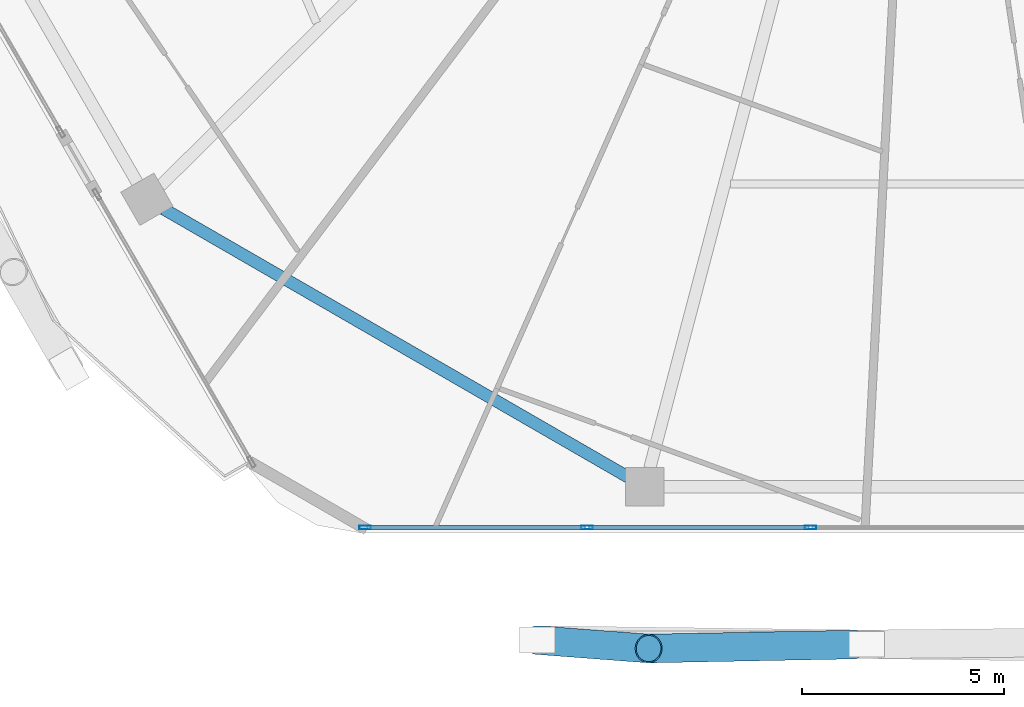
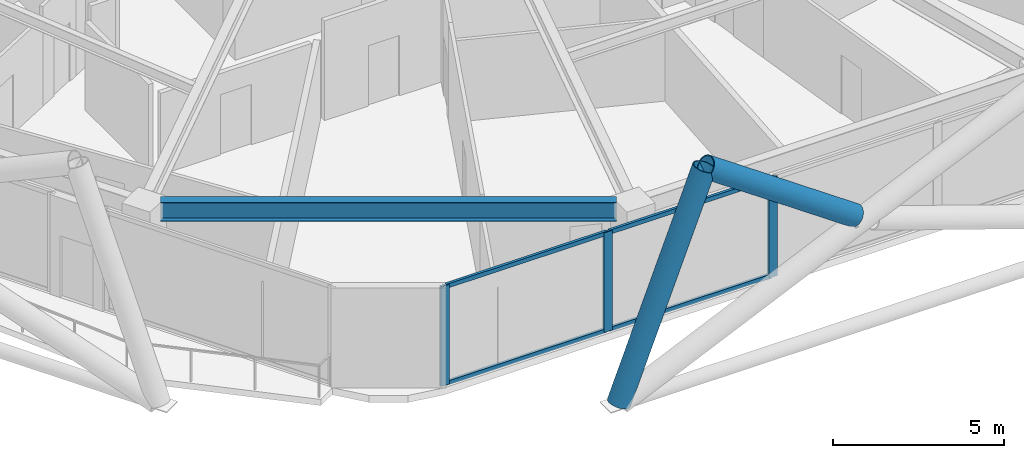
# One storey, part 3 of 29: 9 members, 1 beam, 1 element without a shape of its own.
"""IFC4 building model written with IfcOpenShell, lengths in metres."""

from ifc_helpers import new_model, si_unit, direction, frame, origin, origin_2d, place, context, subcontext, project, spatial, hollow_rectangle, hollow_circle, i_section, extrude, material, material_profile, profile_set, type_object, element, aggregate, save


model = new_model("IFC4")

# Units and contexts
model_context = context("Model", 3, precision=1e-05, world=origin(), true_north=direction((0.0, 1.0)))
body_context = subcontext(model_context, "Body", "Model", "MODEL_VIEW")
ifc_project = project(units=[si_unit("LENGTHUNIT", "METRE"), si_unit("AREAUNIT", "SQUARE_METRE"), si_unit("VOLUMEUNIT", "CUBIC_METRE"), si_unit("PLANEANGLEUNIT", "RADIAN"), si_unit("MASSUNIT", "GRAM", prefix="KILO")], contexts=[model_context])

# Site, building, storey
site_placement = place(None, origin())
site = spatial("IfcSite", under=ifc_project, at=site_placement, CompositionType="ELEMENT")
building_placement = place(site_placement, origin())
building = spatial("IfcBuilding", under=site, at=building_placement, Name="Zuhravey Tower", CompositionType="ELEMENT")
storey_placement = place(building_placement, frame((0.0, 0.0, 192.199951171875)))
storey = spatial("IfcBuildingStorey", under=building, at=storey_placement, Name="L48", CompositionType="ELEMENT", Elevation=192.199951171875)

# Curtain wall, members
ifc_material_1 = material(Name="Thermally broken anodised aluminium", Category="aluminium")
curtain_wall_type = type_object("IfcCurtainWallType", Name="Zone 1-2 Residential Curtain Wall CW3", PredefinedType="NOTDEFINED", material=ifc_material_1)
curtain_wall_placement = place(storey_placement, origin())
curtain_wall = element("IfcCurtainWall", 1, at=curtain_wall_placement, inside=storey, type_object=curtain_wall_type, Name="L48 CW3 CW-L48-F5-1", PredefinedType="NOTDEFINED")
ifc_material_2 = material(Name="Anodised aluminium", Category="aluminium")
ifc_material_profile_1 = material_profile(ifc_material_2, hollow_rectangle(XDim=0.090087890625, YDim=0.284912109375, WallThickness=0.0048828125, at=origin_2d()), Name="ALU-RHS-90x285x5")
ifc_profile_set_1 = profile_set([ifc_material_profile_1], Name="Anodised aluminium")
member_type_1 = type_object("IfcMemberType", Name="Curtain-Wall Mullion 90x180", PredefinedType="MULLION", material=ifc_profile_set_1)
member_1_placement = place(storey_placement, frame((33.227783203125, 4.81689453125, 0.0), z_axis=(0.0, 0.0, 1.0), x_axis=(0.0, -1.0, 0.0)))
member_1 = element("IfcMember", 2, at=member_1_placement, type_object=member_type_1, Name="CW3 mullion 4", PredefinedType="MULLION", context=body_context, shape_type="SweptSolid", body=[
    extrude(hollow_rectangle(XDim=0.090087890625, YDim=0.284912109375, WallThickness=0.0048828125, at=origin_2d()), origin(), (0.0, 0.0, 1.0), 3.550048828125),
])
member_2_placement = place(storey_placement, frame((27.683349609375, 4.81689453125, 0.0), z_axis=(0.0, 0.0, 1.0), x_axis=(0.0, -1.0, 0.0)))
member_2 = element("IfcMember", 3, at=member_2_placement, type_object=member_type_1, Name="CW3 mullion 5", PredefinedType="MULLION", context=body_context, shape_type="SweptSolid", body=[
    extrude(hollow_rectangle(XDim=0.090087890625, YDim=0.284912109375, WallThickness=0.0048828125, at=origin_2d()), origin(), (0.0, 0.0, 1.0), 3.550048828125),
])
member_3_placement = place(storey_placement, frame((22.183837890625, 4.81689453125, 0.0), z_axis=(0.0, 0.0, 1.0), x_axis=(0.0, -1.0, 0.0)))
member_3 = element("IfcMember", 4, at=member_3_placement, type_object=member_type_1, Name="CW3 mullion 6", PredefinedType="MULLION", context=body_context, shape_type="SweptSolid", body=[
    extrude(hollow_rectangle(XDim=0.090087890625, YDim=0.284912109375, WallThickness=0.0048828125, at=origin_2d()), origin(), (0.0, 0.0, 1.0), 3.550048828125),
])
ifc_material_profile_2 = material_profile(ifc_material_2, hollow_rectangle(XDim=0.090087890625, YDim=0.14990234375, WallThickness=0.0048828125, at=origin_2d()), Name="ALU-RHS-90x150x5")
ifc_profile_set_2 = profile_set([ifc_material_profile_2], Name="Anodised aluminium")
member_type_2 = type_object("IfcMemberType", Name="Curtain-Wall Transom 90x150", PredefinedType="USERDEFINED", material=ifc_profile_set_2)
member_4_placement = place(storey_placement, frame((33.182861328125, 4.81689453125, 0.045166015625), z_axis=(-1.0, 0.0, 0.0), x_axis=(0.0, -1.0, 0.0)))
member_4 = element("IfcMember", 5, at=member_4_placement, type_object=member_type_2, Name="CW3 transom 4.1", ObjectType="TRANSOM", PredefinedType="USERDEFINED", context=body_context, shape_type="SweptSolid", body=[
    extrude(hollow_rectangle(XDim=0.090087890625, YDim=0.14990234375, WallThickness=0.0048828125, at=origin_2d()), origin(), (0.0, 0.0, 1.0), 5.45458984375),
])
member_5_placement = place(storey_placement, frame((33.182861328125, 4.81689453125, 3.505126953125), z_axis=(-1.0, 0.0, 0.0), x_axis=(0.0, -1.0, 0.0)))
member_5 = element("IfcMember", 6, at=member_5_placement, type_object=member_type_2, Name="CW3 transom 4.2", ObjectType="TRANSOM", PredefinedType="USERDEFINED", context=body_context, shape_type="SweptSolid", body=[
    extrude(hollow_rectangle(XDim=0.090087890625, YDim=0.14990234375, WallThickness=0.0048828125, at=origin_2d()), origin(), (0.0, 0.0, 1.0), 5.45458984375),
])
member_6_placement = place(storey_placement, frame((27.638427734375, 4.81689453125, 0.045166015625), z_axis=(-1.0, 0.0, 0.0), x_axis=(0.0, -1.0, 0.0)))
member_6 = element("IfcMember", 7, at=member_6_placement, type_object=member_type_2, Name="CW3 transom 5.1", ObjectType="TRANSOM", PredefinedType="USERDEFINED", context=body_context, shape_type="SweptSolid", body=[
    extrude(hollow_rectangle(XDim=0.090087890625, YDim=0.14990234375, WallThickness=0.0048828125, at=origin_2d()), origin(), (0.0, 0.0, 1.0), 5.409423828125),
])
member_7_placement = place(storey_placement, frame((27.638427734375, 4.81689453125, 3.505126953125), z_axis=(-1.0, 0.0, 0.0), x_axis=(0.0, -1.0, 0.0)))
member_7 = element("IfcMember", 8, at=member_7_placement, type_object=member_type_2, Name="CW3 transom 5.2", ObjectType="TRANSOM", PredefinedType="USERDEFINED", context=body_context, shape_type="SweptSolid", body=[
    extrude(hollow_rectangle(XDim=0.090087890625, YDim=0.14990234375, WallThickness=0.0048828125, at=origin_2d()), origin(), (0.0, 0.0, 1.0), 5.409423828125),
])
aggregate(curtain_wall, [member_1, member_2, member_3, member_4, member_5, member_6, member_7])

# Members
ifc_material_3 = material(Name="Steel SM460", Category="steel")
ifc_material_profile_3 = material_profile(ifc_material_3, hollow_circle(Radius=0.355712890625, WallThickness=0.031982421875, at=origin_2d()), Name="CHS-711.2x32")
ifc_profile_set_3 = profile_set([ifc_material_profile_3], Name="Steel SM460")
member_type_3 = type_object("IfcMemberType", Name="Exoskeleton Zone 2 Diagrid CHS711x32", PredefinedType="BRACE", material=ifc_profile_set_3)
member_8_placement = place(storey_placement, frame((26.452392578125, 2.0263671875, -0.44384765625), z_axis=(0.34275261407, -0.025959674185, 0.93906695228), x_axis=(0.075522504646, 0.997144097557, 0.0)))
element("IfcMember", 9, at=member_8_placement, inside=storey, type_object=member_type_3, Name="L48 Face 5 Diagrid Brace 1", PredefinedType="BRACE", context=body_context, shape_type="SweptSolid", body=[
    extrude(hollow_circle(Radius=0.355712890625, WallThickness=0.031982421875, at=origin_2d()), origin(), (0.0, 0.0, 1.0), 8.05029296875),
])
member_9_placement = place(storey_placement, frame((34.33056640625, 1.91650390625, 3.534912109375), z_axis=(-0.817398033159, -0.015932534576, 0.575852941062), x_axis=(0.019488068451, -0.999810089561, 0.0)))
element("IfcMember", 10, at=member_9_placement, inside=storey, type_object=member_type_3, Name="L48 Face 5 Split Diagrid Brace 3B", PredefinedType="BRACE", context=body_context, shape_type="SweptSolid", body=[
    extrude(hollow_circle(Radius=0.355712890625, WallThickness=0.031982421875, at=origin_2d()), origin(), (0.0, 0.0, 1.0), 6.2060546875),
])

# Beam
ifc_material_4 = material(Name="Steel SM355", Category="steel")
ifc_material_profile_4 = material_profile(ifc_material_4, i_section(OverallWidth=0.300048828125, OverallDepth=0.679931640625, WebThickness=0.012939453125, FlangeThickness=0.02197265625, at=origin_2d()), Name="H-680x300x13x22")
ifc_profile_set_4 = profile_set([ifc_material_profile_4], Name="Steel SM355")
beam_type = type_object("IfcBeamType", Name="Perimeter Ring Beam H680x300", PredefinedType="BEAM", material=ifc_profile_set_4)
beam_placement = place(storey_placement, frame((17.1884765625, 12.71435546875, 3.2099609375), z_axis=(0.866029041019, -0.499993700073, 0.0), x_axis=(0.499993700073, 0.866029041019, 0.0)))
element("IfcBeam", 11, at=beam_placement, inside=storey, type_object=beam_type, Name="L48 PB2 BM-L48-PB-08", PredefinedType="BEAM", context=body_context, shape_type="SweptSolid", body=[
    extrude(i_section(OverallWidth=0.300048828125, OverallDepth=0.679931640625, WebThickness=0.012939453125, FlangeThickness=0.02197265625, at=origin_2d()), origin(), (0.0, 0.0, 1.0), 13.297119140625),
])

save(model, "model.ifc")
